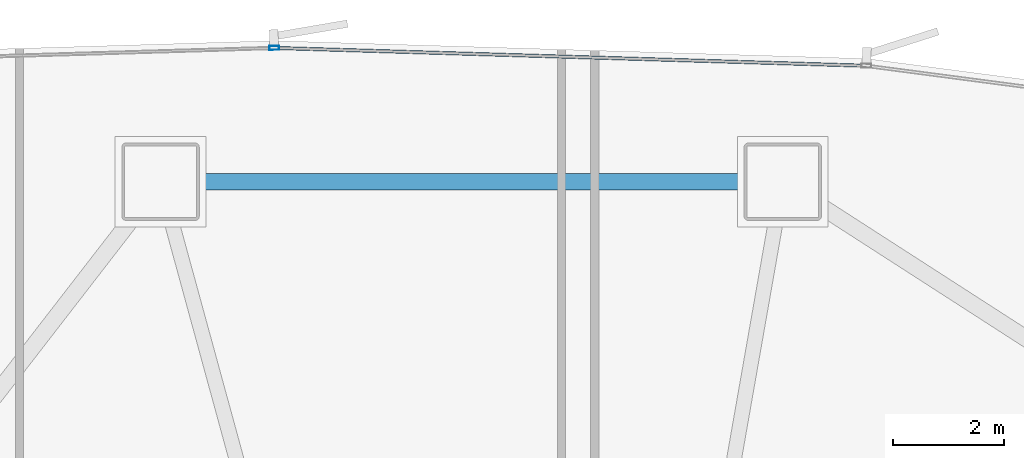
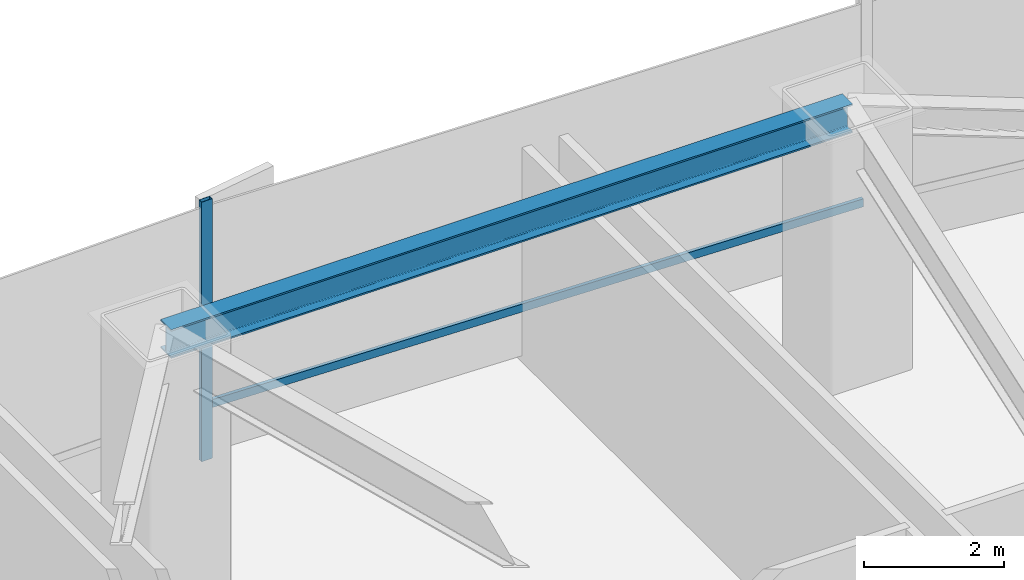
# One storey, part 14 of 34: 2 members, 1 beam, 1 element without a shape of its own.
"""IFC4 building model written with IfcOpenShell, lengths in metres."""

from ifc_helpers import new_model, si_unit, direction, frame, origin, origin_2d, place, context, subcontext, project, spatial, hollow_rectangle, i_section, extrude, source, transform, mapped, material, layer, layer_set, material_profile, profile_set, type_object, element, aggregate, save


model = new_model("IFC4")

# Units and contexts
model_context = context("Model", 3, precision=1e-05, world=origin(), true_north=direction((0.0, 1.0)))
body_context = subcontext(model_context, "Body", "Model", "MODEL_VIEW")
ifc_project = project(units=[si_unit("LENGTHUNIT", "METRE"), si_unit("AREAUNIT", "SQUARE_METRE"), si_unit("VOLUMEUNIT", "CUBIC_METRE"), si_unit("PLANEANGLEUNIT", "RADIAN"), si_unit("MASSUNIT", "GRAM", prefix="KILO"), si_unit("THERMODYNAMICTEMPERATUREUNIT", "KELVIN")], contexts=[model_context])

# Site, building, storey
site_placement = place(None, origin())
site = spatial("IfcSite", under=ifc_project, at=site_placement, CompositionType="ELEMENT")
building_placement = place(site_placement, origin())
building = spatial("IfcBuilding", under=site, at=building_placement, Name="Kethvar Cultural Tower", CompositionType="ELEMENT")
storey_placement = place(building_placement, frame((0.0, 0.0, 14.800048828125)))
storey = spatial("IfcBuildingStorey", under=building, at=storey_placement, Name="L03", CompositionType="ELEMENT", Elevation=14.800048828125)

# Beam
ifc_material_1 = material(Name="Steel S355J2", Category="steel")
ifc_material_profile_1 = material_profile(ifc_material_1, i_section(OverallWidth=0.300048828125, OverallDepth=0.5, WebThickness=0.014404296875, FlangeThickness=0.028076171875, FilletRadius=0.027099609375, at=origin_2d()), Name="Steel S355J2 — HEB500")
ifc_profile_set_1 = profile_set([ifc_material_profile_1], Name="Steel S355J2 — HEB500")
beam_type = type_object("IfcBeamType", Name="BM-SP500", PredefinedType="SPANDREL", material=ifc_profile_set_1)
shared_shape_1 = source(origin(), body_context, "Body", "SweptSolid", [
    extrude(i_section(OverallWidth=0.300048828125, OverallDepth=0.5, WebThickness=0.014404296875, FlangeThickness=0.028076171875, FilletRadius=0.027099609375, at=origin_2d()), origin(), (0.0, 0.0, 1.0), 11.25),
])
beam_placement = place(storey_placement, frame((51.199951171875, 52.85009765625, 4.27783203125), z_axis=(-1.0, 0.0, 0.0), x_axis=(0.0, -1.0, 0.0)))
element("IfcBeam", 1, at=beam_placement, inside=storey, type_object=beam_type, Name="L03 Podium Ring Beam 04", PredefinedType="SPANDREL", context=body_context, shape_type="MappedRepresentation", body=[
    mapped(shared_shape_1, transform((0.0, 0.0, 0.0), scale=1.0)),
])

# Curtain wall, members
ifc_material_2 = material(Name="Aluminium 6063-T6", Category="aluminium")
ifc_layer = layer(ifc_material_2, 0.179931640625, Name="Aluminium 6063-T6", Category="aluminium")
ifc_layer_set = layer_set([ifc_layer], Name="Aluminium 6063-T6 (180 mm)")
curtain_wall_type = type_object("IfcCurtainWallType", Name="CW-SYS-01-POD", PredefinedType="NOTDEFINED", material=ifc_layer_set)
curtain_wall_placement = place(storey_placement, origin())
curtain_wall = element("IfcCurtainWall", 2, at=curtain_wall_placement, inside=storey, type_object=curtain_wall_type, Name="L03 Curtain Wall Run 02", PredefinedType="NOTDEFINED")
ifc_material_profile_2 = material_profile(ifc_material_2, hollow_rectangle(XDim=0.06005859375, YDim=0.139892578125, WallThickness=0.0048828125, at=origin_2d()), Name="Aluminium 6063-T6 — RHS140x60x5")
ifc_profile_set_2 = profile_set([ifc_material_profile_2], Name="Aluminium 6063-T6 — RHS140x60x5")
member_type_1 = type_object("IfcMemberType", Name="CW-SYS-01-POD-TRN", PredefinedType="USERDEFINED", material=ifc_profile_set_2)
shared_shape_2 = source(origin(), body_context, "Body", "SweptSolid", [
    extrude(hollow_rectangle(XDim=0.06005859375, YDim=0.139892578125, WallThickness=0.0048828125, at=origin_2d()), origin(), (0.0, 0.0, 1.0), 10.61279296875),
])
member_1_placement = place(storey_placement, frame((52.657958984375, 54.948486328125, 0.949951171875), z_axis=(-0.999545810513, 0.030135903608, 0.0), x_axis=(-0.030135903608, -0.999545810513, 0.0)))
member_1 = element("IfcMember", 3, at=member_1_placement, type_object=member_type_1, Name="CW-L03-R02 Transom 3", ObjectType="TRANSOM", PredefinedType="USERDEFINED", context=body_context, shape_type="MappedRepresentation", body=[
    mapped(shared_shape_2, transform((0.0, 0.0, 0.0), scale=1.0)),
])
ifc_material_profile_3 = material_profile(ifc_material_2, hollow_rectangle(XDim=0.074951171875, YDim=0.179931640625, WallThickness=0.006103515625, at=origin_2d()), Name="Aluminium 6063-T6 — RHS180x75x6")
ifc_profile_set_3 = profile_set([ifc_material_profile_3], Name="Aluminium 6063-T6 — RHS180x75x6")
member_type_2 = type_object("IfcMemberType", Name="CW-SYS-01-POD-MUL", PredefinedType="MULLION", material=ifc_profile_set_3)
shared_shape_3 = source(origin(), body_context, "Body", "SweptSolid", [
    extrude(hollow_rectangle(XDim=0.074951171875, YDim=0.179931640625, WallThickness=0.006103515625, at=origin_2d()), origin(), (0.0, 0.0, 1.0), 4.530029296875),
])
member_2_placement = place(storey_placement, frame((42.00390625, 55.27001953125, 0.0), z_axis=(0.0, 0.0, 1.0), x_axis=(0.030137272261, -0.999545769248, 0.0)))
member_2 = element("IfcMember", 4, at=member_2_placement, type_object=member_type_2, Name="CW-L03-R02 Mullion 4", PredefinedType="MULLION", context=body_context, shape_type="MappedRepresentation", body=[
    mapped(shared_shape_3, transform((0.0, 0.0, 0.0), scale=1.0)),
])
aggregate(curtain_wall, [member_2, member_1])

save(model, "model.ifc")
